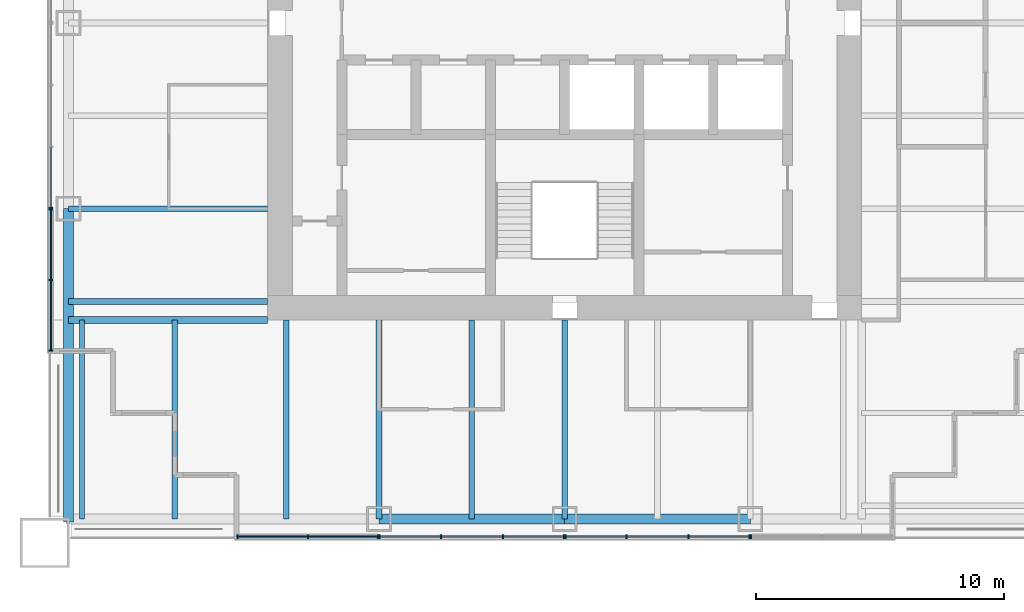
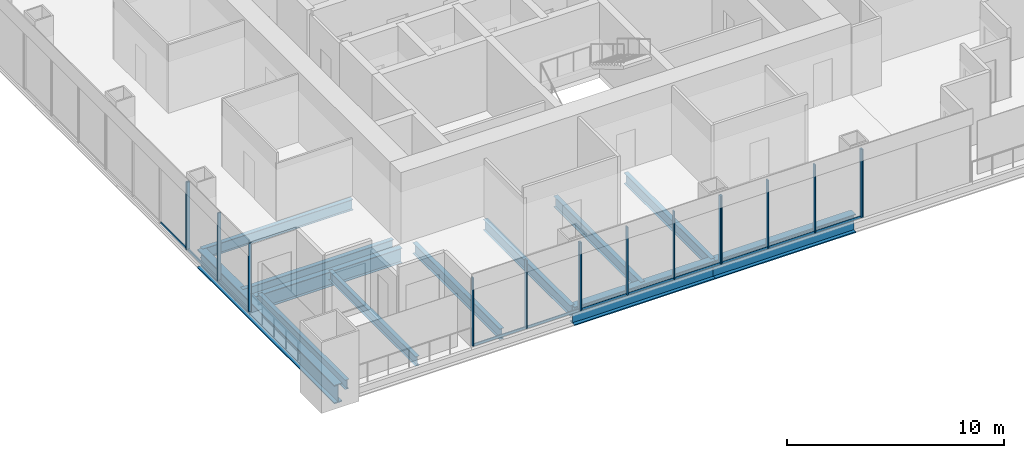
# One storey, part 2 of 14: 27 members, 12 beams, 6 elements without a shape of their own.
"""IFC4 building model written with IfcOpenShell, lengths in metres."""

from ifc_helpers import new_model, si_unit, direction, frame, origin, origin_2d, place, context, subcontext, project, spatial, rectangle, i_section, extrude, material, material_profile, profile_set, type_object, element, aggregate, save


model = new_model("IFC4")

# Units and contexts
model_context = context("Model", 3, precision=1e-05, world=origin(), true_north=direction((0.0, 1.0)))
body_context = subcontext(model_context, "Body", "Model", "MODEL_VIEW")
ifc_project = project(units=[si_unit("LENGTHUNIT", "METRE"), si_unit("AREAUNIT", "SQUARE_METRE"), si_unit("VOLUMEUNIT", "CUBIC_METRE"), si_unit("PLANEANGLEUNIT", "RADIAN"), si_unit("MASSUNIT", "GRAM", prefix="KILO")], contexts=[model_context])

# Site, building, storey
site_placement = place(None, origin())
site = spatial("IfcSite", under=ifc_project, at=site_placement, CompositionType="ELEMENT")
building_placement = place(site_placement, origin())
building = spatial("IfcBuilding", under=site, at=building_placement, Name="Tarangal Relay Tower", CompositionType="ELEMENT")
storey_placement = place(building_placement, frame((0.0, 0.0, 323.89990234375)))
storey = spatial("IfcBuildingStorey", under=building, at=storey_placement, Name="L72", CompositionType="ELEMENT", Elevation=323.89990234375)

# Beams
ifc_material_1 = material(Name="Steel ASTM A992", Category="steel")
ifc_material_profile_1 = material_profile(ifc_material_1, i_section(OverallWidth=0.209228515625, OverallDepth=0.533447265625, WebThickness=0.01025390625, FlangeThickness=0.015625, at=origin_2d()), Name="W21X62")
ifc_profile_set_1 = profile_set([ifc_material_profile_1], Name="Steel ASTM A992")
beam_type_1 = type_object("IfcBeamType", Name="Corner beam W21X62", PredefinedType="JOIST", material=ifc_profile_set_1)
for number, where, z_axis, x_axis, name in (
    (1, (-15.75, -12.0, -0.41650390625), (0.0, -1.0, 0.0), (1.0, 0.0, 0.0), "Corner beam CB12 S L72"),
    (2, (-19.5, -12.0, -0.41650390625), (0.0, -1.0, 0.0), (1.0, 0.0, 0.0), "Corner beam CB12 S L72"),
):
    element("IfcBeam", number, at=place(storey_placement, frame(where, z_axis=z_axis, x_axis=x_axis)), inside=storey, type_object=beam_type_1, Name=name, PredefinedType="JOIST", context=body_context, shape_type="SweptSolid", body=[
        extrude(i_section(OverallWidth=0.209228515625, OverallDepth=0.533447265625, WebThickness=0.01025390625, FlangeThickness=0.015625, at=origin_2d()), origin(), (0.0, 0.0, 1.0), 8.0400390625),
    ])
ifc_material_profile_2 = material_profile(ifc_material_1, i_section(OverallWidth=0.2919921875, OverallDepth=0.8408203125, WebThickness=0.0146484375, FlangeThickness=0.021728515625, at=origin_2d()), Name="W33X130")
ifc_profile_set_2 = profile_set([ifc_material_profile_2], Name="Steel ASTM A992")
beam_type_2 = type_object("IfcBeamType", Name="Corner girder W33X130", PredefinedType="BEAM", material=ifc_profile_set_2)
beam_1_placement = place(storey_placement, frame((-12.0, -12.0, -0.5703125), z_axis=(-1.0, 0.0, 0.0), x_axis=(0.0, -1.0, 0.0)))
element("IfcBeam", 3, at=beam_1_placement, inside=storey, type_object=beam_type_2, Name="Corner girder CG5 S L72", PredefinedType="BEAM", context=body_context, shape_type="SweptSolid", body=[
    extrude(i_section(OverallWidth=0.2919921875, OverallDepth=0.8408203125, WebThickness=0.0146484375, FlangeThickness=0.021728515625, at=origin_2d()), origin(), (0.0, 0.0, 1.0), 8.0400390625),
])
ifc_material_profile_3 = material_profile(ifc_material_1, i_section(OverallWidth=0.41162109375, OverallDepth=1.049072265625, WebThickness=0.033935546875, FlangeThickness=0.059814453125, at=origin_2d()), Name="W40X431")
ifc_profile_set_3 = profile_set([ifc_material_profile_3], Name="Steel ASTM A992")
beam_type_3 = type_object("IfcBeamType", Name="Edge girder W40X431", PredefinedType="SPANDREL", material=ifc_profile_set_3)
for number, where, z_axis, x_axis, name in (
    (4, (7.5, -20.0400390625, -0.67431640625), (-1.0, 0.0, 0.0), (0.0, -1.0, 0.0), "Edge girder EG1 S L72"),
    (5, (0.0, -20.0400390625, -0.67431640625), (-1.0, 0.0, 0.0), (0.0, -1.0, 0.0), "Edge girder EG1 S L72"),
):
    element("IfcBeam", number, at=place(storey_placement, frame(where, z_axis=z_axis, x_axis=x_axis)), inside=storey, type_object=beam_type_3, Name=name, PredefinedType="SPANDREL", context=body_context, shape_type="SweptSolid", body=[
        extrude(i_section(OverallWidth=0.41162109375, OverallDepth=1.049072265625, WebThickness=0.033935546875, FlangeThickness=0.059814453125, at=origin_2d()), origin(), (0.0, 0.0, 1.0), 7.5),
    ])
beam_2_placement = place(storey_placement, frame((-20.0400390625, -20.14990234375, -0.67431640625), z_axis=(0.0, 1.0, 0.0), x_axis=(-1.0, 0.0, 0.0)))
element("IfcBeam", 6, at=beam_2_placement, inside=storey, type_object=beam_type_3, Name="Edge girder EG1 W L72", PredefinedType="SPANDREL", context=body_context, shape_type="SweptSolid", body=[
    extrude(i_section(OverallWidth=0.41162109375, OverallDepth=1.049072265625, WebThickness=0.033935546875, FlangeThickness=0.059814453125, at=origin_2d()), origin(), (0.0, 0.0, 1.0), 12.64990234375),
])
ifc_material_profile_4 = material_profile(ifc_material_1, i_section(OverallWidth=0.228271484375, OverallDepth=0.607177734375, WebThickness=0.01123046875, FlangeThickness=0.017333984375, at=origin_2d()), Name="W24X76")
ifc_profile_set_4 = profile_set([ifc_material_profile_4], Name="Steel ASTM A992")
beam_type_4 = type_object("IfcBeamType", Name="Floor beam W24X76", PredefinedType="BEAM", material=ifc_profile_set_4)
for number, where, z_axis, x_axis, name in (
    (7, (0.0, -12.0, -0.453369140625), (0.0, -1.0, 0.0), (1.0, 0.0, 0.0), "Floor beam RB5 S L72"),
    (8, (-3.75, -12.0, -0.453369140625), (0.0, -1.0, 0.0), (1.0, 0.0, 0.0), "Floor beam RB5 S L72"),
    (9, (-7.5, -12.0, -0.453369140625), (0.0, -1.0, 0.0), (1.0, 0.0, 0.0), "Floor beam RB5 S L72"),
    (10, (-11.25, -12.0, -0.453369140625), (0.0, -1.0, 0.0), (1.0, 0.0, 0.0), "Floor beam RB5 S L72"),
    (11, (-12.0, -11.25, -0.453369140625), (-1.0, 0.0, 0.0), (0.0, -1.0, 0.0), "Floor beam RB5 W L72"),
    (12, (-12.0, -7.5, -0.453369140625), (-1.0, 0.0, 0.0), (0.0, -1.0, 0.0), "Floor beam RB5 W L72"),
):
    element("IfcBeam", number, at=place(storey_placement, frame(where, z_axis=z_axis, x_axis=x_axis)), inside=storey, type_object=beam_type_4, Name=name, PredefinedType="BEAM", context=body_context, shape_type="SweptSolid", body=[
        extrude(i_section(OverallWidth=0.228271484375, OverallDepth=0.607177734375, WebThickness=0.01123046875, FlangeThickness=0.017333984375, at=origin_2d()), origin(), (0.0, 0.0, 1.0), 8.0400390625),
    ])

# Curtain wall, members
ifc_material_2 = material(Name="Unitised curtain wall, dark glass and black aluminium", Category="aluminium")
curtain_wall_type_1 = type_object("IfcCurtainWallType", Name="Curtain wall CW-B", PredefinedType="USERDEFINED", material=ifc_material_2)
curtain_wall_1_placement = place(storey_placement, origin())
curtain_wall_1 = element("IfcCurtainWall", 13, at=curtain_wall_1_placement, inside=storey, type_object=curtain_wall_type_1, Name="Curtain wall CW-B S facade L72", ObjectType="UNITISED CURTAIN WALL", PredefinedType="USERDEFINED")
ifc_material_3 = material(Name="Black anodised aluminium mullion", Category="aluminium")
ifc_material_profile_5 = material_profile(ifc_material_3, rectangle(XDim=0.159912109375, YDim=0.06005859375, at=origin_2d()), Name="CW-BM 60X160")
ifc_profile_set_5 = profile_set([ifc_material_profile_5], Name="Black anodised aluminium mullion")
member_type_1 = type_object("IfcMemberType", Name="Mullion CW-B 60 x 160", PredefinedType="MULLION", material=ifc_profile_set_5)
member_1_placement = place(storey_placement, frame((7.469970703125, -20.75, 0.0), z_axis=(0.0, 0.0, 1.0), x_axis=(0.0, -1.0, 0.0)))
member_1 = element("IfcMember", 14, at=member_1_placement, type_object=member_type_1, Name="CW-B mullion 1", PredefinedType="MULLION", context=body_context, shape_type="SweptSolid", body=[
    extrude(rectangle(XDim=0.159912109375, YDim=0.06005859375, at=origin_2d()), origin(), (0.0, 0.0, 1.0), 3.85009765625),
])
member_2_placement = place(storey_placement, frame((5.0, -20.75, 0.0), z_axis=(0.0, 0.0, 1.0), x_axis=(0.0, -1.0, 0.0)))
member_2 = element("IfcMember", 15, at=member_2_placement, type_object=member_type_1, Name="CW-B mullion 2", PredefinedType="MULLION", context=body_context, shape_type="SweptSolid", body=[
    extrude(rectangle(XDim=0.159912109375, YDim=0.06005859375, at=origin_2d()), origin(), (0.0, 0.0, 1.0), 3.85009765625),
])
member_3_placement = place(storey_placement, frame((2.5, -20.75, 0.0), z_axis=(0.0, 0.0, 1.0), x_axis=(0.0, -1.0, 0.0)))
member_3 = element("IfcMember", 16, at=member_3_placement, type_object=member_type_1, Name="CW-B mullion 3", PredefinedType="MULLION", context=body_context, shape_type="SweptSolid", body=[
    extrude(rectangle(XDim=0.159912109375, YDim=0.06005859375, at=origin_2d()), origin(), (0.0, 0.0, 1.0), 3.85009765625),
])
member_4_placement = place(storey_placement, frame((0.030029296875, -20.75, 0.0), z_axis=(0.0, 0.0, 1.0), x_axis=(0.0, -1.0, 0.0)))
member_4 = element("IfcMember", 17, at=member_4_placement, type_object=member_type_1, Name="CW-B mullion 4", PredefinedType="MULLION", context=body_context, shape_type="SweptSolid", body=[
    extrude(rectangle(XDim=0.159912109375, YDim=0.06005859375, at=origin_2d()), origin(), (0.0, 0.0, 1.0), 3.85009765625),
])

curtain_wall_2_placement = place(storey_placement, origin())
curtain_wall_2 = element("IfcCurtainWall", 18, at=curtain_wall_2_placement, inside=storey, type_object=curtain_wall_type_1, Name="Curtain wall CW-B S facade L72", ObjectType="UNITISED CURTAIN WALL", PredefinedType="USERDEFINED")
member_5_placement = place(storey_placement, frame((-0.030029296875, -20.75, 0.0), z_axis=(0.0, 0.0, 1.0), x_axis=(0.0, -1.0, 0.0)))
member_5 = element("IfcMember", 19, at=member_5_placement, type_object=member_type_1, Name="CW-B mullion 1", PredefinedType="MULLION", context=body_context, shape_type="SweptSolid", body=[
    extrude(rectangle(XDim=0.159912109375, YDim=0.06005859375, at=origin_2d()), origin(), (0.0, 0.0, 1.0), 3.85009765625),
])
member_6_placement = place(storey_placement, frame((-2.5, -20.75, 0.0), z_axis=(0.0, 0.0, 1.0), x_axis=(0.0, -1.0, 0.0)))
member_6 = element("IfcMember", 20, at=member_6_placement, type_object=member_type_1, Name="CW-B mullion 2", PredefinedType="MULLION", context=body_context, shape_type="SweptSolid", body=[
    extrude(rectangle(XDim=0.159912109375, YDim=0.06005859375, at=origin_2d()), origin(), (0.0, 0.0, 1.0), 3.85009765625),
])
member_7_placement = place(storey_placement, frame((-5.0, -20.75, 0.0), z_axis=(0.0, 0.0, 1.0), x_axis=(0.0, -1.0, 0.0)))
member_7 = element("IfcMember", 21, at=member_7_placement, type_object=member_type_1, Name="CW-B mullion 3", PredefinedType="MULLION", context=body_context, shape_type="SweptSolid", body=[
    extrude(rectangle(XDim=0.159912109375, YDim=0.06005859375, at=origin_2d()), origin(), (0.0, 0.0, 1.0), 3.85009765625),
])
member_8_placement = place(storey_placement, frame((-7.469970703125, -20.75, 0.0), z_axis=(0.0, 0.0, 1.0), x_axis=(0.0, -1.0, 0.0)))
member_8 = element("IfcMember", 22, at=member_8_placement, type_object=member_type_1, Name="CW-B mullion 4", PredefinedType="MULLION", context=body_context, shape_type="SweptSolid", body=[
    extrude(rectangle(XDim=0.159912109375, YDim=0.06005859375, at=origin_2d()), origin(), (0.0, 0.0, 1.0), 3.85009765625),
])

# Curtain wall, member
curtain_wall_3_placement = place(storey_placement, origin())
curtain_wall_3 = element("IfcCurtainWall", 23, at=curtain_wall_3_placement, inside=storey, type_object=curtain_wall_type_1, Name="Curtain wall CW-B W facade L72", ObjectType="UNITISED CURTAIN WALL", PredefinedType="USERDEFINED")
member_9_placement = place(storey_placement, frame((-20.75, -7.469970703125, 0.0), z_axis=(0.0, 0.0, 1.0), x_axis=(-1.0, 0.0, 0.0)))
member_9 = element("IfcMember", 24, at=member_9_placement, type_object=member_type_1, Name="CW-B mullion 1", PredefinedType="MULLION", context=body_context, shape_type="SweptSolid", body=[
    extrude(rectangle(XDim=0.159912109375, YDim=0.06005859375, at=origin_2d()), origin(), (0.0, 0.0, 1.0), 3.85009765625),
])

ifc_material_4 = material(Name="Unitised curtain wall frame, black aluminium, with metal clad infill walls", Category="aluminium")
curtain_wall_type_2 = type_object("IfcCurtainWallType", Name="Curtain wall CW-BO", PredefinedType="USERDEFINED", material=ifc_material_4)
curtain_wall_4_placement = place(storey_placement, origin())
curtain_wall_4 = element("IfcCurtainWall", 25, at=curtain_wall_4_placement, inside=storey, type_object=curtain_wall_type_2, Name="Curtain wall CW-BO S facade L72", ObjectType="UNITISED CURTAIN WALL", PredefinedType="USERDEFINED")
ifc_material_profile_6 = material_profile(ifc_material_3, rectangle(XDim=0.159912109375, YDim=0.06005859375, at=origin_2d()), Name="CW-BOM 60X160")
ifc_profile_set_6 = profile_set([ifc_material_profile_6], Name="Black anodised aluminium mullion")
member_type_2 = type_object("IfcMemberType", Name="Mullion CW-BO 60 x 160", PredefinedType="MULLION", material=ifc_profile_set_6)
member_10_placement = place(storey_placement, frame((7.530029296875, -20.75, 0.0), z_axis=(0.0, 0.0, 1.0), x_axis=(0.0, -1.0, 0.0)))
member_10 = element("IfcMember", 26, at=member_10_placement, type_object=member_type_2, Name="CW-BO mullion 3", PredefinedType="MULLION", context=body_context, shape_type="SweptSolid", body=[
    extrude(rectangle(XDim=0.159912109375, YDim=0.06005859375, at=origin_2d()), origin(), (0.0, 0.0, 1.0), 3.85009765625),
])
aggregate(curtain_wall_4, [member_10])

# Curtain wall, members
curtain_wall_5_placement = place(storey_placement, origin())
curtain_wall_5 = element("IfcCurtainWall", 27, at=curtain_wall_5_placement, inside=storey, type_object=curtain_wall_type_2, Name="Curtain wall CW-BO S facade L72", ObjectType="UNITISED CURTAIN WALL", PredefinedType="USERDEFINED")
member_11_placement = place(storey_placement, frame((-7.530029296875, -20.75, 0.0), z_axis=(0.0, 0.0, 1.0), x_axis=(0.0, -1.0, 0.0)))
member_11 = element("IfcMember", 28, at=member_11_placement, type_object=member_type_2, Name="CW-BO mullion 1", PredefinedType="MULLION", context=body_context, shape_type="SweptSolid", body=[
    extrude(rectangle(XDim=0.159912109375, YDim=0.06005859375, at=origin_2d()), origin(), (0.0, 0.0, 1.0), 3.85009765625),
])
member_12_placement = place(storey_placement, frame((-10.375, -20.75, 0.0), z_axis=(0.0, 0.0, 1.0), x_axis=(0.0, -1.0, 0.0)))
member_12 = element("IfcMember", 29, at=member_12_placement, type_object=member_type_2, Name="CW-BO mullion 2", PredefinedType="MULLION", context=body_context, shape_type="SweptSolid", body=[
    extrude(rectangle(XDim=0.159912109375, YDim=0.06005859375, at=origin_2d()), origin(), (0.0, 0.0, 1.0), 3.85009765625),
])
member_13_placement = place(storey_placement, frame((-13.219970703125, -20.75, 0.0), z_axis=(0.0, 0.0, 1.0), x_axis=(0.0, -1.0, 0.0)))
member_13 = element("IfcMember", 30, at=member_13_placement, type_object=member_type_2, Name="CW-BO mullion 3", PredefinedType="MULLION", context=body_context, shape_type="SweptSolid", body=[
    extrude(rectangle(XDim=0.159912109375, YDim=0.06005859375, at=origin_2d()), origin(), (0.0, 0.0, 1.0), 3.85009765625),
])

curtain_wall_6_placement = place(storey_placement, origin())
curtain_wall_6 = element("IfcCurtainWall", 31, at=curtain_wall_6_placement, inside=storey, type_object=curtain_wall_type_2, Name="Curtain wall CW-BO W facade L72", ObjectType="UNITISED CURTAIN WALL", PredefinedType="USERDEFINED")
member_14_placement = place(storey_placement, frame((-20.75, -13.219970703125, 0.0), z_axis=(0.0, 0.0, 1.0), x_axis=(-1.0, 0.0, 0.0)))
member_14 = element("IfcMember", 32, at=member_14_placement, type_object=member_type_2, Name="CW-BO mullion 1", PredefinedType="MULLION", context=body_context, shape_type="SweptSolid", body=[
    extrude(rectangle(XDim=0.159912109375, YDim=0.06005859375, at=origin_2d()), origin(), (0.0, 0.0, 1.0), 3.85009765625),
])
member_15_placement = place(storey_placement, frame((-20.75, -10.375, 0.0), z_axis=(0.0, 0.0, 1.0), x_axis=(-1.0, 0.0, 0.0)))
member_15 = element("IfcMember", 33, at=member_15_placement, type_object=member_type_2, Name="CW-BO mullion 2", PredefinedType="MULLION", context=body_context, shape_type="SweptSolid", body=[
    extrude(rectangle(XDim=0.159912109375, YDim=0.06005859375, at=origin_2d()), origin(), (0.0, 0.0, 1.0), 3.85009765625),
])
member_16_placement = place(storey_placement, frame((-20.75, -7.530029296875, 0.0), z_axis=(0.0, 0.0, 1.0), x_axis=(-1.0, 0.0, 0.0)))
member_16 = element("IfcMember", 34, at=member_16_placement, type_object=member_type_2, Name="CW-BO mullion 3", PredefinedType="MULLION", context=body_context, shape_type="SweptSolid", body=[
    extrude(rectangle(XDim=0.159912109375, YDim=0.06005859375, at=origin_2d()), origin(), (0.0, 0.0, 1.0), 3.85009765625),
])

# Member
ifc_material_5 = material(Name="Black anodised aluminium transom", Category="aluminium")
ifc_material_profile_7 = material_profile(ifc_material_5, rectangle(XDim=0.06005859375, YDim=0.1298828125, at=origin_2d()), Name="CW-BT 60X130")
ifc_profile_set_7 = profile_set([ifc_material_profile_7], Name="Black anodised aluminium transom")
member_type_3 = type_object("IfcMemberType", Name="Transom CW-B 60 x 130", PredefinedType="USERDEFINED", material=ifc_profile_set_7)
member_17_placement = place(storey_placement, frame((7.43994140625, -20.75, 0.030029296875), z_axis=(-1.0, 0.0, 0.0), x_axis=(0.0, -1.0, 0.0)))
member_17 = element("IfcMember", 35, at=member_17_placement, type_object=member_type_3, Name="CW-B transom 1.1", ObjectType="TRANSOM", PredefinedType="USERDEFINED", context=body_context, shape_type="SweptSolid", body=[
    extrude(rectangle(XDim=0.06005859375, YDim=0.1298828125, at=origin_2d()), origin(), (0.0, 0.0, 1.0), 2.409912109375),
])

member_18_placement = place(storey_placement, frame((4.969970703125, -20.75, 0.030029296875), z_axis=(-1.0, 0.0, 0.0), x_axis=(0.0, -1.0, 0.0)))
member_18 = element("IfcMember", 36, at=member_18_placement, type_object=member_type_3, Name="CW-B transom 2.1", ObjectType="TRANSOM", PredefinedType="USERDEFINED", context=body_context, shape_type="SweptSolid", body=[
    extrude(rectangle(XDim=0.06005859375, YDim=0.1298828125, at=origin_2d()), origin(), (0.0, 0.0, 1.0), 2.43994140625),
])

member_19_placement = place(storey_placement, frame((2.469970703125, -20.75, 0.030029296875), z_axis=(-1.0, 0.0, 0.0), x_axis=(0.0, -1.0, 0.0)))
member_19 = element("IfcMember", 37, at=member_19_placement, type_object=member_type_3, Name="CW-B transom 3.1", ObjectType="TRANSOM", PredefinedType="USERDEFINED", context=body_context, shape_type="SweptSolid", body=[
    extrude(rectangle(XDim=0.06005859375, YDim=0.1298828125, at=origin_2d()), origin(), (0.0, 0.0, 1.0), 2.409912109375),
])

aggregate(curtain_wall_1, [member_1, member_2, member_3, member_4, member_17, member_18, member_19])

member_20_placement = place(storey_placement, frame((-0.06005859375, -20.75, 0.030029296875), z_axis=(-1.0, 0.0, 0.0), x_axis=(0.0, -1.0, 0.0)))
member_20 = element("IfcMember", 38, at=member_20_placement, type_object=member_type_3, Name="CW-B transom 1.1", ObjectType="TRANSOM", PredefinedType="USERDEFINED", context=body_context, shape_type="SweptSolid", body=[
    extrude(rectangle(XDim=0.06005859375, YDim=0.1298828125, at=origin_2d()), origin(), (0.0, 0.0, 1.0), 2.409912109375),
])

member_21_placement = place(storey_placement, frame((-2.530029296875, -20.75, 0.030029296875), z_axis=(-1.0, 0.0, 0.0), x_axis=(0.0, -1.0, 0.0)))
member_21 = element("IfcMember", 39, at=member_21_placement, type_object=member_type_3, Name="CW-B transom 2.1", ObjectType="TRANSOM", PredefinedType="USERDEFINED", context=body_context, shape_type="SweptSolid", body=[
    extrude(rectangle(XDim=0.06005859375, YDim=0.1298828125, at=origin_2d()), origin(), (0.0, 0.0, 1.0), 2.43994140625),
])

member_22_placement = place(storey_placement, frame((-5.030029296875, -20.75, 0.030029296875), z_axis=(-1.0, 0.0, 0.0), x_axis=(0.0, -1.0, 0.0)))
member_22 = element("IfcMember", 40, at=member_22_placement, type_object=member_type_3, Name="CW-B transom 3.1", ObjectType="TRANSOM", PredefinedType="USERDEFINED", context=body_context, shape_type="SweptSolid", body=[
    extrude(rectangle(XDim=0.06005859375, YDim=0.1298828125, at=origin_2d()), origin(), (0.0, 0.0, 1.0), 2.409912109375),
])

aggregate(curtain_wall_2, [member_5, member_6, member_7, member_8, member_20, member_21, member_22])

member_23_placement = place(storey_placement, frame((-20.75, -7.43994140625, 0.030029296875), z_axis=(0.0, 1.0, 0.0), x_axis=(-1.0, 0.0, 0.0)))
member_23 = element("IfcMember", 41, at=member_23_placement, type_object=member_type_3, Name="CW-B transom 1.1", ObjectType="TRANSOM", PredefinedType="USERDEFINED", context=body_context, shape_type="SweptSolid", body=[
    extrude(rectangle(XDim=0.06005859375, YDim=0.1298828125, at=origin_2d()), origin(), (0.0, 0.0, 1.0), 2.409912109375),
])

aggregate(curtain_wall_3, [member_9, member_23])

ifc_material_profile_8 = material_profile(ifc_material_5, rectangle(XDim=0.06005859375, YDim=0.1298828125, at=origin_2d()), Name="CW-BOT 60X130")
ifc_profile_set_8 = profile_set([ifc_material_profile_8], Name="Black anodised aluminium transom")
member_type_4 = type_object("IfcMemberType", Name="Transom CW-BO 60 x 130", PredefinedType="USERDEFINED", material=ifc_profile_set_8)
member_24_placement = place(storey_placement, frame((-7.56005859375, -20.75, 0.030029296875), z_axis=(-1.0, 0.0, 0.0), x_axis=(0.0, -1.0, 0.0)))
member_24 = element("IfcMember", 42, at=member_24_placement, type_object=member_type_4, Name="CW-BO transom 1.1", ObjectType="TRANSOM", PredefinedType="USERDEFINED", context=body_context, shape_type="SweptSolid", body=[
    extrude(rectangle(XDim=0.06005859375, YDim=0.1298828125, at=origin_2d()), origin(), (0.0, 0.0, 1.0), 2.784912109375),
])

member_25_placement = place(storey_placement, frame((-10.405029296875, -20.75, 0.030029296875), z_axis=(-1.0, 0.0, 0.0), x_axis=(0.0, -1.0, 0.0)))
member_25 = element("IfcMember", 43, at=member_25_placement, type_object=member_type_4, Name="CW-BO transom 2.1", ObjectType="TRANSOM", PredefinedType="USERDEFINED", context=body_context, shape_type="SweptSolid", body=[
    extrude(rectangle(XDim=0.06005859375, YDim=0.1298828125, at=origin_2d()), origin(), (0.0, 0.0, 1.0), 2.784912109375),
])

aggregate(curtain_wall_5, [member_11, member_12, member_13, member_24, member_25])

member_26_placement = place(storey_placement, frame((-20.75, -13.18994140625, 0.030029296875), z_axis=(0.0, 1.0, 0.0), x_axis=(-1.0, 0.0, 0.0)))
member_26 = element("IfcMember", 44, at=member_26_placement, type_object=member_type_4, Name="CW-BO transom 1.1", ObjectType="TRANSOM", PredefinedType="USERDEFINED", context=body_context, shape_type="SweptSolid", body=[
    extrude(rectangle(XDim=0.06005859375, YDim=0.1298828125, at=origin_2d()), origin(), (0.0, 0.0, 1.0), 2.784912109375),
])

member_27_placement = place(storey_placement, frame((-20.75, -10.344970703125, 0.030029296875), z_axis=(0.0, 1.0, 0.0), x_axis=(-1.0, 0.0, 0.0)))
member_27 = element("IfcMember", 45, at=member_27_placement, type_object=member_type_4, Name="CW-BO transom 2.1", ObjectType="TRANSOM", PredefinedType="USERDEFINED", context=body_context, shape_type="SweptSolid", body=[
    extrude(rectangle(XDim=0.06005859375, YDim=0.1298828125, at=origin_2d()), origin(), (0.0, 0.0, 1.0), 2.784912109375),
])

aggregate(curtain_wall_6, [member_14, member_15, member_16, member_26, member_27])

save(model, "model.ifc")
